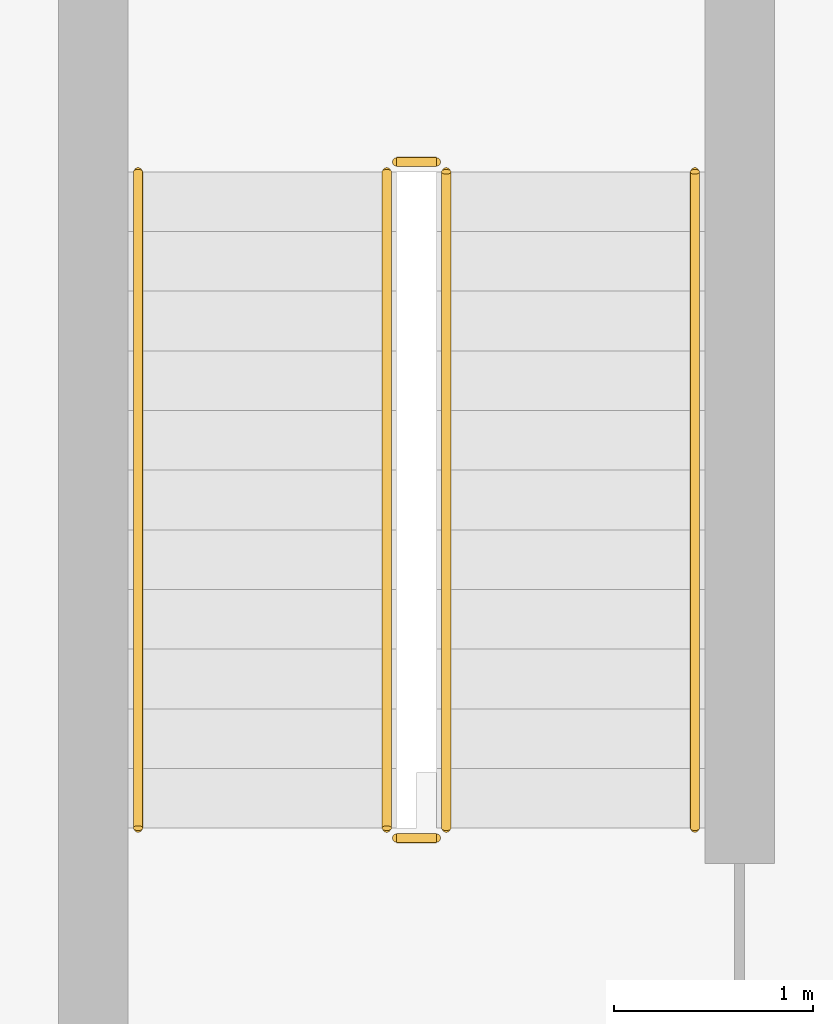
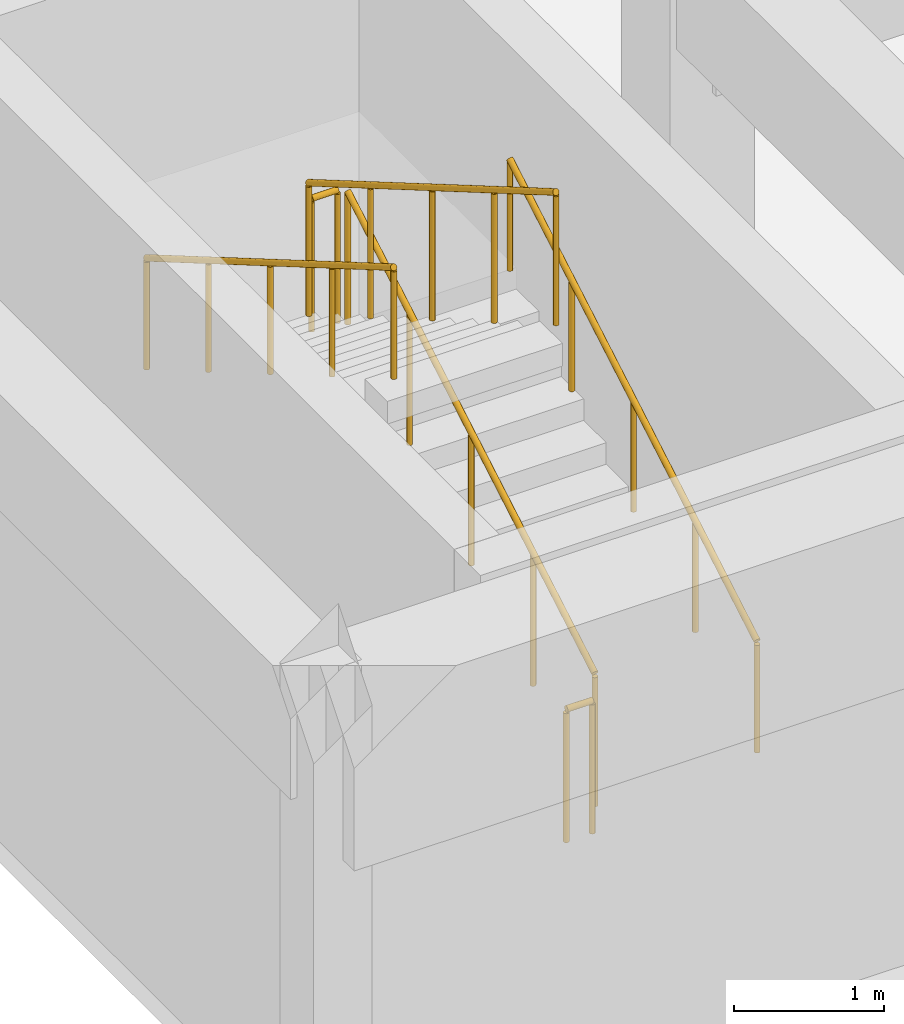
# One storey, part 154 of 157: 6 railings.
"""IFC4 building model written with IfcOpenShell, lengths in metres."""

from ifc_helpers import new_model, si_unit, direction, frame, origin, origin_2d, place, context, subcontext, project, spatial, circle, extrude, material, type_object, element, save


model = new_model("IFC4")

# Units and contexts
model_context = context("Model", 3, precision=1e-05, world=origin(), true_north=direction((0.0, 1.0)))
body_context = subcontext(model_context, "Body", "Model", "MODEL_VIEW")
ifc_project = project(units=[si_unit("LENGTHUNIT", "METRE"), si_unit("AREAUNIT", "SQUARE_METRE"), si_unit("VOLUMEUNIT", "CUBIC_METRE"), si_unit("PLANEANGLEUNIT", "RADIAN"), si_unit("MASSUNIT", "GRAM", prefix="KILO")], contexts=[model_context])

# Site, building, storey
site_placement = place(None, origin())
site = spatial("IfcSite", under=ifc_project, at=site_placement, CompositionType="ELEMENT")
building_placement = place(site_placement, origin())
building = spatial("IfcBuilding", under=site, at=building_placement, Name="Karori Crest Natural Sciences Institute", CompositionType="ELEMENT")
storey_placement = place(building_placement, frame((0.0, 0.0, 13.300048828125)))
storey = spatial("IfcBuildingStorey", under=building, at=storey_placement, Name="L03", CompositionType="ELEMENT", Elevation=13.300048828125)

# Railings
ifc_material_1 = material(Name="Stainless steel 316 tubular handrail", Category="steel")
railing_type_1 = type_object("IfcRailingType", Name="RLT-HND", PredefinedType="HANDRAIL", material=ifc_material_1)
railing_1_placement = place(storey_placement, frame((12.050048828125, 97.300048828125, 0.175048828125)))
element("IfcRailing", 1, at=railing_1_placement, inside=storey, type_object=railing_type_1, Name="Stair handrail RL-0255", PredefinedType="HANDRAIL", context=body_context, shape_type="SweptSolid", body=[
    extrude(circle(Radius=0.02392578125, at=origin_2d()), frame((0.0, 0.0, 0.90087890625), z_axis=(0.0, 0.863804395585, 0.503827317807), x_axis=(-1.0, 0.0, 0.0)), (0.0, 0.0, 1.0), 3.8203125),
    extrude(circle(Radius=0.02099609375, at=origin_2d()), origin(), (0.0, 0.0, 1.0), 0.876953125),
    extrude(circle(Radius=0.02099609375, at=origin_2d()), frame((0.0, 0.824951171875, 0.481201171875)), (0.0, 0.0, 1.0), 0.876953125),
    extrude(circle(Radius=0.02099609375, at=origin_2d()), frame((0.0, 1.64990234375, 0.96240234375)), (0.0, 0.0, 1.0), 0.876953125),
    extrude(circle(Radius=0.02099609375, at=origin_2d()), frame((0.0, 2.47509765625, 1.443603515625)), (0.0, 0.0, 1.0), 0.876953125),
    extrude(circle(Radius=0.02099609375, at=origin_2d()), frame((0.0, 3.300048828125, 1.9248046875)), (0.0, 0.0, 1.0), 0.876953125),
])
railing_2_placement = place(storey_placement, frame((9.25, 100.60009765625, 2.27490234375)))
element("IfcRailing", 2, at=railing_2_placement, inside=storey, type_object=railing_type_1, Name="Stair handrail RL-0256", PredefinedType="HANDRAIL", context=body_context, shape_type="SweptSolid", body=[
    extrude(circle(Radius=0.02392578125, at=origin_2d()), frame((0.0, 0.0, 0.90087890625), z_axis=(0.0, -0.863776583165, 0.503874998761), x_axis=(1.0, 0.0, 0.0)), (0.0, 0.0, 1.0), 3.820556640625),
    extrude(circle(Radius=0.02099609375, at=origin_2d()), origin(), (0.0, 0.0, 1.0), 0.876953125),
    extrude(circle(Radius=0.02099609375, at=origin_2d()), frame((0.0, -0.824951171875, 0.481201171875)), (0.0, 0.0, 1.0), 0.876953125),
    extrude(circle(Radius=0.02099609375, at=origin_2d()), frame((0.0, -1.64990234375, 0.96240234375)), (0.0, 0.0, 1.0), 0.876953125),
    extrude(circle(Radius=0.02099609375, at=origin_2d()), frame((0.0, -2.47509765625, 1.44384765625)), (0.0, 0.0, 1.0), 0.876953125),
    extrude(circle(Radius=0.02099609375, at=origin_2d()), frame((0.0, -3.300048828125, 1.925048828125)), (0.0, 0.0, 1.0), 0.876953125),
])
ifc_material_2 = material(Name="Stainless steel 316 stair guard", Category="steel")
railing_type_2 = type_object("IfcRailingType", Name="RLT-STG", PredefinedType="GUARDRAIL", material=ifc_material_2)
railing_3_placement = place(storey_placement, frame((10.800048828125, 97.300048828125, 0.175048828125)))
element("IfcRailing", 3, at=railing_3_placement, inside=storey, type_object=railing_type_2, Name="Stair guard RL-0251", PredefinedType="GUARDRAIL", context=body_context, shape_type="SweptSolid", body=[
    extrude(circle(Radius=0.02392578125, at=origin_2d()), frame((0.0, 0.0, 1.076171875), z_axis=(0.0, 0.863804395585, 0.503827317807), x_axis=(-1.0, 0.0, 0.0)), (0.0, 0.0, 1.0), 3.8203125),
    extrude(circle(Radius=0.02099609375, at=origin_2d()), origin(), (0.0, 0.0, 1.0), 1.052001953125),
    extrude(circle(Radius=0.02099609375, at=origin_2d()), frame((0.0, 0.824951171875, 0.481201171875)), (0.0, 0.0, 1.0), 1.052001953125),
    extrude(circle(Radius=0.02099609375, at=origin_2d()), frame((0.0, 1.64990234375, 0.96240234375)), (0.0, 0.0, 1.0), 1.052001953125),
    extrude(circle(Radius=0.02099609375, at=origin_2d()), frame((0.0, 2.47509765625, 1.443603515625)), (0.0, 0.0, 1.0), 1.052001953125),
    extrude(circle(Radius=0.02099609375, at=origin_2d()), frame((0.0, 3.300048828125, 1.9248046875)), (0.0, 0.0, 1.0), 1.052001953125),
])
railing_4_placement = place(storey_placement, frame((10.75, 100.64990234375, 2.099853515625)))
element("IfcRailing", 4, at=railing_4_placement, inside=storey, type_object=railing_type_2, Name="Stair guard RL-0252", PredefinedType="GUARDRAIL", context=body_context, shape_type="SweptSolid", body=[
    extrude(circle(Radius=0.02392578125, at=origin_2d()), frame((0.0, 0.0, 1.076171875), z_axis=(-1.0, 0.0, 0.0), x_axis=(0.0, -1.0, 0.0)), (0.0, 0.0, 1.0), 0.199951171875),
    extrude(circle(Radius=0.02099609375, at=origin_2d()), origin(), (0.0, 0.0, 1.0), 1.052001953125),
    extrude(circle(Radius=0.02099609375, at=origin_2d()), frame((-0.199951171875, 0.0, 0.0)), (0.0, 0.0, 1.0), 1.052001953125),
])
railing_5_placement = place(storey_placement, frame((10.5, 100.60009765625, 2.27490234375)))
element("IfcRailing", 5, at=railing_5_placement, inside=storey, type_object=railing_type_2, Name="Stair guard RL-0253", PredefinedType="GUARDRAIL", context=body_context, shape_type="SweptSolid", body=[
    extrude(circle(Radius=0.02392578125, at=origin_2d()), frame((0.0, 0.0, 1.076171875), z_axis=(0.0, -0.863776583165, 0.503874998761), x_axis=(1.0, 0.0, 0.0)), (0.0, 0.0, 1.0), 3.820556640625),
    extrude(circle(Radius=0.02099609375, at=origin_2d()), origin(), (0.0, 0.0, 1.0), 1.052001953125),
    extrude(circle(Radius=0.02099609375, at=origin_2d()), frame((0.0, -0.824951171875, 0.481201171875)), (0.0, 0.0, 1.0), 1.052001953125),
    extrude(circle(Radius=0.02099609375, at=origin_2d()), frame((0.0, -1.64990234375, 0.96240234375)), (0.0, 0.0, 1.0), 1.052001953125),
    extrude(circle(Radius=0.02099609375, at=origin_2d()), frame((0.0, -2.47509765625, 1.44384765625)), (0.0, 0.0, 1.0), 1.052001953125),
    extrude(circle(Radius=0.02099609375, at=origin_2d()), frame((0.0, -3.300048828125, 1.925048828125)), (0.0, 0.0, 1.0), 1.052001953125),
])
railing_6_placement = place(storey_placement, frame((10.75, 97.25, 0.0)))
element("IfcRailing", 6, at=railing_6_placement, inside=storey, type_object=railing_type_2, Name="Stair guard RL-0254", PredefinedType="GUARDRAIL", context=body_context, shape_type="SweptSolid", body=[
    extrude(circle(Radius=0.02392578125, at=origin_2d()), frame((0.0, 0.0, 1.076171875), z_axis=(-1.0, 0.0, 0.0), x_axis=(0.0, -1.0, 0.0)), (0.0, 0.0, 1.0), 0.199951171875),
    extrude(circle(Radius=0.02099609375, at=origin_2d()), origin(), (0.0, 0.0, 1.0), 1.052001953125),
    extrude(circle(Radius=0.02099609375, at=origin_2d()), frame((-0.199951171875, 0.0, 0.0)), (0.0, 0.0, 1.0), 1.052001953125),
])

save(model, "model.ifc")
